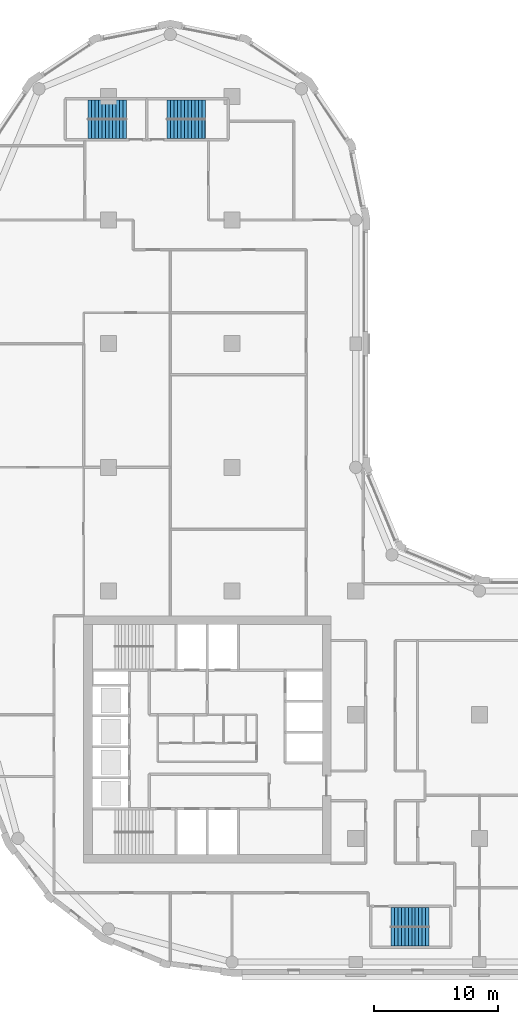
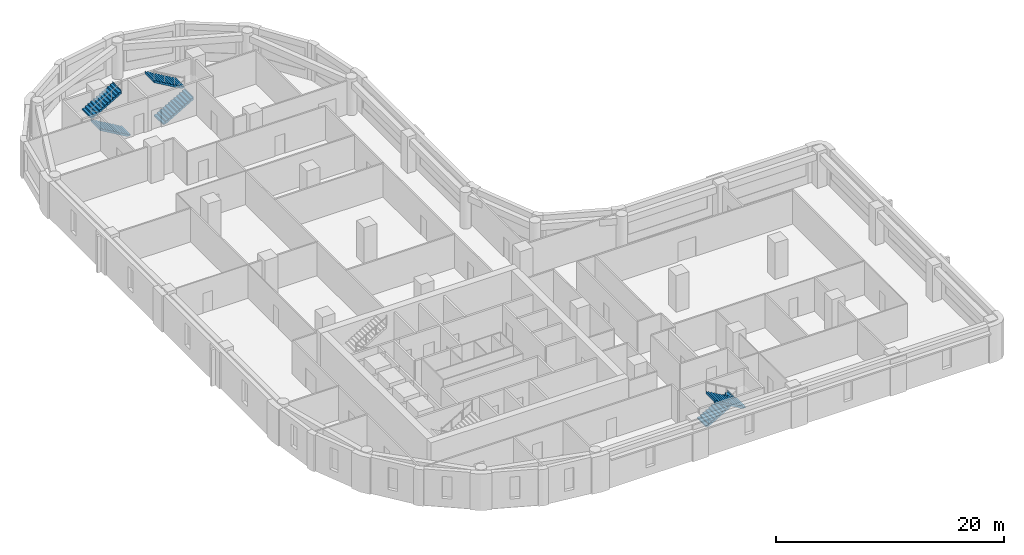
# One storey, part 8 of 10: 6 stair flights, 3 elements without a shape of their own.
"""IFC4 building model written with IfcOpenShell, lengths in metres."""

from ifc_helpers import new_model, si_unit, direction, frame, origin, place, context, subcontext, project, spatial, polyline, outline, extrude, material, type_object, element, aggregate, save


model = new_model("IFC4")

# Units and contexts
model_context = context("Model", 3, precision=1e-05, world=origin(), true_north=direction((0.0, 1.0)))
body_context = subcontext(model_context, "Body", "Model", "MODEL_VIEW")
ifc_project = project(units=[si_unit("LENGTHUNIT", "METRE"), si_unit("AREAUNIT", "SQUARE_METRE"), si_unit("VOLUMEUNIT", "CUBIC_METRE"), si_unit("PLANEANGLEUNIT", "RADIAN"), si_unit("MASSUNIT", "GRAM", prefix="KILO")], contexts=[model_context])

# Site, building, storey
site_placement = place(None, origin())
site = spatial("IfcSite", under=ifc_project, at=site_placement, CompositionType="ELEMENT")
building_placement = place(site_placement, origin())
building = spatial("IfcBuilding", under=site, at=building_placement, Name="Qaws Garden Tower", CompositionType="ELEMENT")
storey_placement = place(building_placement, frame((0.0, 0.0, 209.699951171875)))
storey = spatial("IfcBuildingStorey", under=building, at=storey_placement, Name="L51", CompositionType="ELEMENT", Elevation=209.699951171875)

# Stair, stair flights
ifc_material_1 = material(Name="Concrete C40", Category="concrete")
stair_type = type_object("IfcStairType", Name="Exit stair 1350", PredefinedType="HALF_TURN_STAIR", material=ifc_material_1)
placement = place(storey_placement, origin())
stair_1 = element("IfcStair", 1, at=placement, inside=storey, type_object=stair_type, Name="Stair 5", PredefinedType="HALF_TURN_STAIR")
ifc_material_2 = material(Name="Concrete C40", Category="concrete")
stair_flight_type = type_object("IfcStairFlightType", Name="Stair flight 1350", PredefinedType="STRAIGHT", material=ifc_material_2)
stair_flight_1_placement = place(storey_placement, frame((32.85009765625, 3.625, 0.0), z_axis=(0.0, 0.0, 1.0), x_axis=(1.0, 0.0, 0.0)))
stair_flight_1 = element("IfcStairFlight", 2, at=stair_flight_1_placement, type_object=stair_flight_type, Name="ST5 flight 1", NumberOfRisers=12, NumberOfTreads=11, PredefinedType="STRAIGHT", RiserHeight=0.1625, TreadLength=0.28, context=body_context, shape_type="SweptSolid", body=[
    extrude(outline(polyline([(-0.0029296875, 0.0), (-0.0029296875, 0.16259765625), (0.0, 0.16259765625), (0.280029296875, 0.16259765625), (0.280029296875, 0.324951171875), (0.56005859375, 0.324951171875), (0.56005859375, 0.487548828125), (0.840087890625, 0.487548828125), (0.840087890625, 0.64990234375), (1.1201171875, 0.64990234375), (1.1201171875, 0.8125), (1.39990234375, 0.8125), (1.39990234375, 0.97509765625), (1.679931640625, 0.97509765625), (1.679931640625, 1.137451171875), (1.9599609375, 1.137451171875), (1.9599609375, 1.300048828125), (2.239990234375, 1.300048828125), (2.239990234375, 1.46240234375), (2.52001953125, 1.46240234375), (2.52001953125, 1.625), (2.800048828125, 1.625), (2.800048828125, 1.78759765625), (3.080078125, 1.78759765625), (3.080078125, 1.949951171875), (3.0830078125, 1.949951171875), (3.0830078125, 1.6142578125), (3.080078125, 1.6142578125), (0.298583984375, 0.0), (-0.0029296875, 0.0)])), frame((0.0, 0.77490234375, 0.0), z_axis=(0.0, -1.0, 0.0), x_axis=(1.0, 0.0, 0.0)), (0.0, 0.0, 1.0), 1.550048828125),
])
stair_flight_2_placement = place(storey_placement, frame((35.929931640625, 2.074951171875, 1.949951171875), z_axis=(0.0, 0.0, 1.0), x_axis=(-1.0, 0.0, 0.0)))
stair_flight_2 = element("IfcStairFlight", 3, at=stair_flight_2_placement, type_object=stair_flight_type, Name="ST5 flight 2", NumberOfRisers=12, NumberOfTreads=11, PredefinedType="STRAIGHT", RiserHeight=0.1625, TreadLength=0.28, context=body_context, shape_type="SweptSolid", body=[
    extrude(outline(polyline([(-0.0029296875, 0.0), (-0.0029296875, 0.16259765625), (0.0, 0.16259765625), (0.280029296875, 0.16259765625), (0.280029296875, 0.324951171875), (0.56005859375, 0.324951171875), (0.56005859375, 0.487548828125), (0.840087890625, 0.487548828125), (0.840087890625, 0.64990234375), (1.1201171875, 0.64990234375), (1.1201171875, 0.8125), (1.39990234375, 0.8125), (1.39990234375, 0.97509765625), (1.679931640625, 0.97509765625), (1.679931640625, 1.137451171875), (1.9599609375, 1.137451171875), (1.9599609375, 1.300048828125), (2.239990234375, 1.300048828125), (2.239990234375, 1.46240234375), (2.52001953125, 1.46240234375), (2.52001953125, 1.625), (2.800048828125, 1.625), (2.800048828125, 1.78759765625), (3.080078125, 1.78759765625), (3.080078125, 1.949951171875), (3.0830078125, 1.949951171875), (3.0830078125, 1.6142578125), (3.080078125, 1.6142578125), (0.298583984375, 0.0), (-0.0029296875, 0.0)])), frame((0.0, 0.77490234375, 0.0), z_axis=(0.0, -1.0, 0.0), x_axis=(1.0, 0.0, 0.0)), (0.0, 0.0, 1.0), 1.550048828125),
])
aggregate(stair_1, [stair_flight_1, stair_flight_2])

stair_2 = element("IfcStair", 4, at=placement, inside=storey, type_object=stair_type, Name="Stair 6", PredefinedType="HALF_TURN_STAIR")
stair_flight_3_placement = place(storey_placement, frame((11.449951171875, 67.375, 0.0), z_axis=(0.0, 0.0, 1.0), x_axis=(-1.0, 0.0, 0.0)))
stair_flight_3 = element("IfcStairFlight", 5, at=stair_flight_3_placement, type_object=stair_flight_type, Name="ST6 flight 1", NumberOfRisers=12, NumberOfTreads=11, PredefinedType="STRAIGHT", RiserHeight=0.1625, TreadLength=0.28, context=body_context, shape_type="SweptSolid", body=[
    extrude(outline(polyline([(-0.0029296875, 0.0), (-0.0029296875, 0.16259765625), (0.0, 0.16259765625), (0.280029296875, 0.16259765625), (0.280029296875, 0.324951171875), (0.56005859375, 0.324951171875), (0.56005859375, 0.487548828125), (0.840087890625, 0.487548828125), (0.840087890625, 0.64990234375), (1.1201171875, 0.64990234375), (1.1201171875, 0.8125), (1.39990234375, 0.8125), (1.39990234375, 0.97509765625), (1.679931640625, 0.97509765625), (1.679931640625, 1.137451171875), (1.9599609375, 1.137451171875), (1.9599609375, 1.300048828125), (2.239990234375, 1.300048828125), (2.239990234375, 1.46240234375), (2.52001953125, 1.46240234375), (2.52001953125, 1.625), (2.800048828125, 1.625), (2.800048828125, 1.78759765625), (3.080078125, 1.78759765625), (3.080078125, 1.949951171875), (3.0830078125, 1.949951171875), (3.0830078125, 1.6142578125), (3.080078125, 1.6142578125), (0.298583984375, 0.0), (-0.0029296875, 0.0)])), frame((0.0, 0.77490234375, 0.0), z_axis=(0.0, -1.0, 0.0), x_axis=(1.0, 0.0, 0.0)), (0.0, 0.0, 1.0), 1.550048828125),
])
stair_flight_4_placement = place(storey_placement, frame((8.3701171875, 68.925048828125, 1.949951171875), z_axis=(0.0, 0.0, 1.0), x_axis=(1.0, 0.0, 0.0)))
stair_flight_4 = element("IfcStairFlight", 6, at=stair_flight_4_placement, type_object=stair_flight_type, Name="ST6 flight 2", NumberOfRisers=12, NumberOfTreads=11, PredefinedType="STRAIGHT", RiserHeight=0.1625, TreadLength=0.28, context=body_context, shape_type="SweptSolid", body=[
    extrude(outline(polyline([(-0.0029296875, 0.0), (-0.0029296875, 0.16259765625), (0.0, 0.16259765625), (0.280029296875, 0.16259765625), (0.280029296875, 0.324951171875), (0.56005859375, 0.324951171875), (0.56005859375, 0.487548828125), (0.840087890625, 0.487548828125), (0.840087890625, 0.64990234375), (1.1201171875, 0.64990234375), (1.1201171875, 0.8125), (1.39990234375, 0.8125), (1.39990234375, 0.97509765625), (1.679931640625, 0.97509765625), (1.679931640625, 1.137451171875), (1.9599609375, 1.137451171875), (1.9599609375, 1.300048828125), (2.239990234375, 1.300048828125), (2.239990234375, 1.46240234375), (2.52001953125, 1.46240234375), (2.52001953125, 1.625), (2.800048828125, 1.625), (2.800048828125, 1.78759765625), (3.080078125, 1.78759765625), (3.080078125, 1.949951171875), (3.0830078125, 1.949951171875), (3.0830078125, 1.6142578125), (3.080078125, 1.6142578125), (0.298583984375, 0.0), (-0.0029296875, 0.0)])), frame((0.0, 0.77490234375, 0.0), z_axis=(0.0, -1.0, 0.0), x_axis=(1.0, 0.0, 0.0)), (0.0, 0.0, 1.0), 1.550048828125),
])
aggregate(stair_2, [stair_flight_3, stair_flight_4])

stair_3 = element("IfcStair", 7, at=placement, inside=storey, type_object=stair_type, Name="Stair 7", PredefinedType="HALF_TURN_STAIR")
stair_flight_5_placement = place(storey_placement, frame((14.75, 67.375, 0.0), z_axis=(0.0, 0.0, 1.0), x_axis=(1.0, 0.0, 0.0)))
stair_flight_5 = element("IfcStairFlight", 8, at=stair_flight_5_placement, type_object=stair_flight_type, Name="ST7 flight 1", NumberOfRisers=12, NumberOfTreads=11, PredefinedType="STRAIGHT", RiserHeight=0.1625, TreadLength=0.28, context=body_context, shape_type="SweptSolid", body=[
    extrude(outline(polyline([(-0.0029296875, 0.0), (-0.0029296875, 0.16259765625), (0.0, 0.16259765625), (0.280029296875, 0.16259765625), (0.280029296875, 0.324951171875), (0.56005859375, 0.324951171875), (0.56005859375, 0.487548828125), (0.840087890625, 0.487548828125), (0.840087890625, 0.64990234375), (1.1201171875, 0.64990234375), (1.1201171875, 0.8125), (1.39990234375, 0.8125), (1.39990234375, 0.97509765625), (1.679931640625, 0.97509765625), (1.679931640625, 1.137451171875), (1.9599609375, 1.137451171875), (1.9599609375, 1.300048828125), (2.239990234375, 1.300048828125), (2.239990234375, 1.46240234375), (2.52001953125, 1.46240234375), (2.52001953125, 1.625), (2.800048828125, 1.625), (2.800048828125, 1.78759765625), (3.080078125, 1.78759765625), (3.080078125, 1.949951171875), (3.0830078125, 1.949951171875), (3.0830078125, 1.6142578125), (3.080078125, 1.6142578125), (0.298583984375, 0.0), (-0.0029296875, 0.0)])), frame((0.0, 0.77490234375, 0.0), z_axis=(0.0, -1.0, 0.0), x_axis=(1.0, 0.0, 0.0)), (0.0, 0.0, 1.0), 1.550048828125),
])
stair_flight_6_placement = place(storey_placement, frame((17.830078125, 68.925048828125, 1.949951171875), z_axis=(0.0, 0.0, 1.0), x_axis=(-1.0, 0.0, 0.0)))
stair_flight_6 = element("IfcStairFlight", 9, at=stair_flight_6_placement, type_object=stair_flight_type, Name="ST7 flight 2", NumberOfRisers=12, NumberOfTreads=11, PredefinedType="STRAIGHT", RiserHeight=0.1625, TreadLength=0.28, context=body_context, shape_type="SweptSolid", body=[
    extrude(outline(polyline([(-0.0029296875, 0.0), (-0.0029296875, 0.16259765625), (0.0, 0.16259765625), (0.280029296875, 0.16259765625), (0.280029296875, 0.324951171875), (0.56005859375, 0.324951171875), (0.56005859375, 0.487548828125), (0.840087890625, 0.487548828125), (0.840087890625, 0.64990234375), (1.1201171875, 0.64990234375), (1.1201171875, 0.8125), (1.39990234375, 0.8125), (1.39990234375, 0.97509765625), (1.679931640625, 0.97509765625), (1.679931640625, 1.137451171875), (1.9599609375, 1.137451171875), (1.9599609375, 1.300048828125), (2.239990234375, 1.300048828125), (2.239990234375, 1.46240234375), (2.52001953125, 1.46240234375), (2.52001953125, 1.625), (2.800048828125, 1.625), (2.800048828125, 1.78759765625), (3.080078125, 1.78759765625), (3.080078125, 1.949951171875), (3.0830078125, 1.949951171875), (3.0830078125, 1.6142578125), (3.080078125, 1.6142578125), (0.298583984375, 0.0), (-0.0029296875, 0.0)])), frame((0.0, 0.77490234375, 0.0), z_axis=(0.0, -1.0, 0.0), x_axis=(1.0, 0.0, 0.0)), (0.0, 0.0, 1.0), 1.550048828125),
])
aggregate(stair_3, [stair_flight_5, stair_flight_6])

save(model, "model.ifc")
